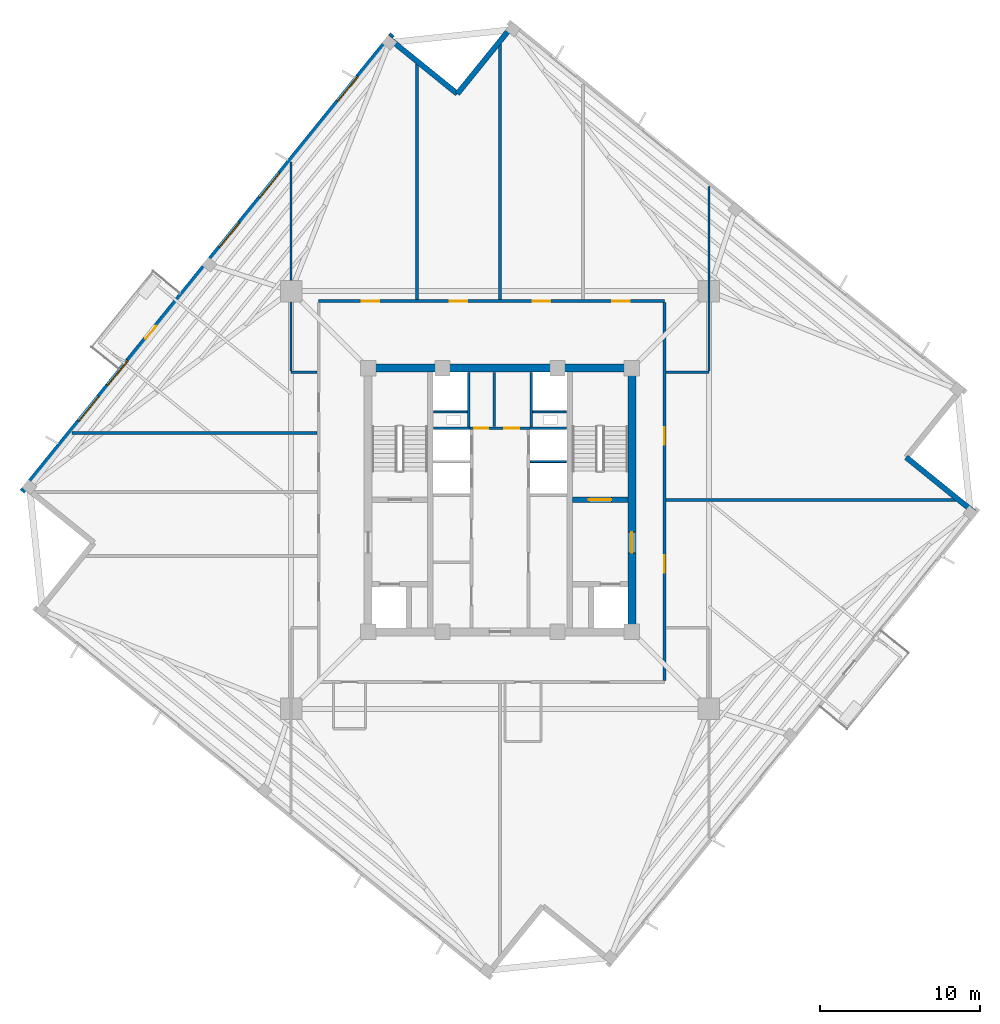
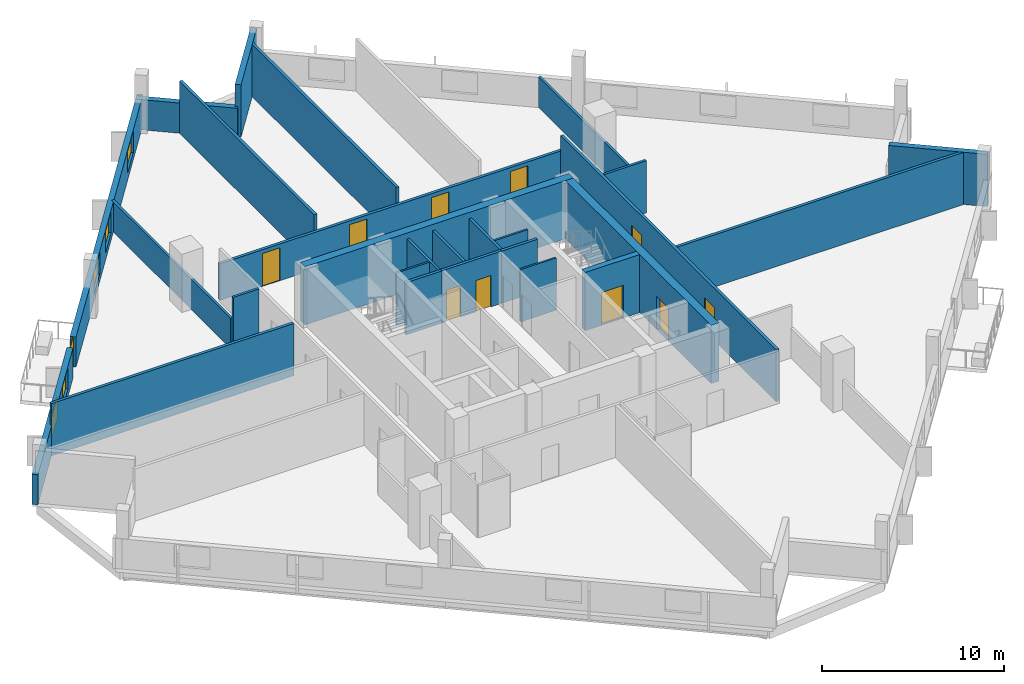
# One storey, part 4 of 9: 26 walls, 11 doors, 5 windows, 16 openings.
"""IFC4 building model written with IfcOpenShell, lengths in metres."""

from ifc_helpers import new_model, si_unit, direction, frame, frame_2d, origin, place, context, subcontext, project, spatial, rectangle, extrude, source, transform, mapped, material, layer, layer_set, type_object, element, fill, save


model = new_model("IFC4")

# Units and contexts
model_context = context("Model", 3, precision=1e-05, world=origin(), true_north=direction((0.0, 1.0)))
body_context = subcontext(model_context, "Body", "Model", "MODEL_VIEW")
ifc_project = project(units=[si_unit("LENGTHUNIT", "METRE"), si_unit("AREAUNIT", "SQUARE_METRE"), si_unit("VOLUMEUNIT", "CUBIC_METRE"), si_unit("PLANEANGLEUNIT", "RADIAN"), si_unit("MASSUNIT", "GRAM", prefix="KILO"), si_unit("THERMODYNAMICTEMPERATUREUNIT", "KELVIN")], contexts=[model_context])

# Site, building, storey
site_placement = place(None, origin())
site = spatial("IfcSite", under=ifc_project, at=site_placement, CompositionType="ELEMENT")
building_placement = place(site_placement, origin())
building = spatial("IfcBuilding", under=site, at=building_placement, Name="Kosmvard Interchange Tower", CompositionType="ELEMENT")
storey_placement = place(building_placement, frame((0.0, 0.0, 256.300048828125)))
storey = spatial("IfcBuildingStorey", under=building, at=storey_placement, Name="L62", CompositionType="ELEMENT", Elevation=256.300048828125)

# Walls
ifc_material_1 = material(Name="Acoustic gypsum partition system")
ifc_layer_1 = layer(ifc_material_1, 0.14990234375, Name="Acoustic gypsum partition system")
ifc_layer_set_1 = layer_set([ifc_layer_1], Name="Acoustic gypsum partition system")
wall_type_1 = type_object("IfcWallType", Name="Acoustic Suite & Meeting Partition 150", PredefinedType="PARTITIONING", material=ifc_layer_set_1)
wall_1_placement = place(storey_placement, frame((10.39501953125, 8.0, 0.0), z_axis=(0.0, 0.0, 1.0), x_axis=(1.0, 0.0, 0.0)))
element("IfcWall", 1, at=wall_1_placement, inside=storey, type_object=wall_type_1, Name="L62 Room Partition 09.1", PredefinedType="PARTITIONING", context=body_context, shape_type="SweptSolid", body=[
    extrude(rectangle(XDim=2.68603515625, YDim=0.14990234375, at=frame_2d((1.343017578125, 0.0))), origin(), (0.0, 0.0, 1.0), 3.5),
])
wall_2_placement = place(storey_placement, frame((13.0810546875, 8.074951171875, 0.0), z_axis=(0.0, 0.0, 1.0), x_axis=(0.0, 1.0, 0.0)))
element("IfcWall", 2, at=wall_2_placement, inside=storey, type_object=wall_type_1, Name="L62 Room Partition 10.1", PredefinedType="PARTITIONING", context=body_context, shape_type="SweptSolid", body=[
    extrude(rectangle(XDim=11.5390625, YDim=0.14990234375, at=frame_2d((5.76953125, 0.0))), origin(), (0.0, 0.0, 1.0), 2.050048828125),
])
wall_3_placement = place(storey_placement, frame((-11.445068359375, 8.0, 0.0), z_axis=(0.0, 0.0, 1.0), x_axis=(-1.0, 0.0, 0.0)))
element("IfcWall", 3, at=wall_3_placement, inside=storey, type_object=wall_type_1, Name="L62 Room Partition 15.1", PredefinedType="PARTITIONING", context=body_context, shape_type="SweptSolid", body=[
    extrude(rectangle(XDim=1.635986328125, YDim=0.14990234375, at=frame_2d((0.81787109375, 0.0))), origin(), (0.0, 0.0, 1.0), 3.5),
])
wall_4_placement = place(storey_placement, frame((-13.0810546875, 8.074951171875, 0.0), z_axis=(0.0, 0.0, 1.0), x_axis=(0.0, 1.0, 0.0)))
element("IfcWall", 4, at=wall_4_placement, inside=storey, type_object=wall_type_1, Name="L62 Room Partition 16.1", PredefinedType="PARTITIONING", context=body_context, shape_type="SweptSolid", body=[
    extrude(rectangle(XDim=13.073486328125, YDim=0.14990234375, at=frame_2d((6.53662109375, 0.0))), origin(), (0.0, 0.0, 1.0), 2.02001953125),
])
ifc_material_2 = material(Name="Fire-rated gypsum partition system")
ifc_layer_2 = layer(ifc_material_2, 0.159912109375, Name="Fire-rated gypsum partition system")
ifc_layer_set_2 = layer_set([ifc_layer_2], Name="Fire-rated gypsum partition system")
wall_type_2 = type_object("IfcWallType", Name="Core Compartment & Shuttle Lobby Partition 160", PredefinedType="PARTITIONING", material=ifc_layer_set_2)
for number, where, z_axis, x_axis, name in (
    (5, (-1.9599609375, 4.580078125, 0.0), (0.0, 0.0, 1.0), (0.0, 1.0, 0.0), "L62 North Core West Wall"),
    (6, (1.9599609375, 4.580078125, 0.0), (0.0, 0.0, 1.0), (0.0, 1.0, 0.0), "L62 North Core East Wall"),
):
    element("IfcWall", number, at=place(storey_placement, frame(where, z_axis=z_axis, x_axis=x_axis)), inside=storey, type_object=wall_type_2, Name=name, PredefinedType="PARTITIONING", context=body_context, shape_type="SweptSolid", body=[
        extrude(rectangle(XDim=3.39990234375, YDim=0.159912109375, at=frame_2d((1.699951171875, 0.0))), origin(), (0.0, 0.0, 1.0), 3.5),
    ])
ifc_material_3 = material(Name="Concrete blockwork masonry", Category="masonry")
ifc_layer_3 = layer(ifc_material_3, 0.159912109375, Name="Concrete blockwork masonry")
ifc_layer_set_3 = layer_set([ifc_layer_3], Name="Concrete blockwork masonry")
wall_type_3 = type_object("IfcWallType", Name="Core Enclosure Split Wall 160", PredefinedType="PARTITIONING", material=ifc_layer_set_3)
wall_5_placement = place(storey_placement, frame((-0.35009765625, 4.60009765625, 0.0), z_axis=(0.0, 0.0, 1.0), x_axis=(0.0, 1.0, 0.0)))
element("IfcWall", 7, at=wall_5_placement, inside=storey, type_object=wall_type_3, Name="L62 Core K2 Split Wall", PredefinedType="PARTITIONING", context=body_context, shape_type="SweptSolid", body=[
    extrude(rectangle(XDim=3.3798828125, YDim=0.159912109375, at=frame_2d((1.68994140625, 0.0))), origin(), (0.0, 0.0, 1.0), 3.5),
])

# Wall, openings, doors
ifc_layer_4 = layer(ifc_material_2, 0.179931640625, Name="Fire-rated gypsum partition system")
ifc_layer_set_4 = layer_set([ifc_layer_4], Name="Fire-rated gypsum partition system")
wall_type_4 = type_object("IfcWallType", Name="Corridor & Hotel Compartment Partition 180", PredefinedType="PARTITIONING", material=ifc_layer_set_4)
wall_6_placement = place(storey_placement, frame((-1.8798828125, 4.489990234375, 0.0), z_axis=(0.0, 0.0, 1.0), x_axis=(1.0, 0.0, 0.0)))
wall_6 = element("IfcWall", 8, at=wall_6_placement, inside=storey, type_object=wall_type_4, Name="L62 Lift Lobby North Partition", PredefinedType="PARTITIONING", context=body_context, shape_type="SweptSolid", body=[
    extrude(rectangle(XDim=3.759765625, YDim=0.179931640625, at=frame_2d((1.8798828125, 0.0))), origin(), (0.0, 0.0, 1.0), 3.5),
])
opening_1_placement = place(wall_6_placement, frame((0.280029296875, 0.0, 0.0)))
opening_1 = element("IfcOpeningElement", 9, at=opening_1_placement, cuts=wall_6, Name="Opening L62-KD1", PredefinedType="OPENING", context=body_context, shape_type="SweptSolid", body=[
    extrude(rectangle(XDim=0.8798828125, YDim=2.10009765625, at=frame_2d((0.43994140625, 1.050048828125))), frame((0.0, 0.10009765625, 0.0), z_axis=(0.0, -1.0, 0.0), x_axis=(1.0, 0.0, 0.0)), (0.0, 0.0, 1.0), 0.199951171875),
])
opening_2_placement = place(wall_6_placement, frame((2.14990234375, 0.0, 0.0)))
opening_2 = element("IfcOpeningElement", 10, at=opening_2_placement, cuts=wall_6, Name="Opening L62-KD2", PredefinedType="OPENING", context=body_context, shape_type="SweptSolid", body=[
    extrude(rectangle(XDim=0.949951171875, YDim=2.10009765625, at=frame_2d((0.47509765625, 1.050048828125))), frame((0.0, 0.10009765625, 0.0), z_axis=(0.0, -1.0, 0.0), x_axis=(1.0, 0.0, 0.0)), (0.0, 0.0, 1.0), 0.199951171875),
])
ifc_material_4 = material(Name="Painted fire-rated timber leaf", Category="wood")
door_type_1 = type_object("IfcDoorType", Name="Core Service Fire Door 950x2100 EI30", OperationType="NOTDEFINED", PredefinedType="DOOR", material=ifc_material_4)
shared_shape_1 = source(origin(), body_context, "Body", "SweptSolid", [
    extrude(rectangle(XDim=0.949951171875, YDim=2.10009765625, at=frame_2d((0.47509765625, 1.050048828125))), frame((0.0, 0.02490234375, 0.0), z_axis=(0.0, -1.0, 0.0), x_axis=(1.0, 0.0, 0.0)), (0.0, 0.0, 1.0), 0.050048828125),
])
door_1_placement = place(opening_2_placement, origin())
door_1 = element("IfcDoor", 11, at=door_1_placement, inside=storey, type_object=door_type_1, Name="L62 Core Tea Pantry Door", OperationType="SINGLE_SWING_RIGHT", OverallHeight=2.10009765625, OverallWidth=0.949951171875, PredefinedType="DOOR", context=body_context, shape_type="MappedRepresentation", body=[
    mapped(shared_shape_1, transform((0.0, 0.0, 0.0), scale=1.0)),
])
fill(opening_2, door_1)
door_type_2 = type_object("IfcDoorType", Name="Core Cupboard Fire Door 880x2100 EI30", OperationType="NOTDEFINED", PredefinedType="DOOR", material=ifc_material_4)
shared_shape_2 = source(origin(), body_context, "Body", "SweptSolid", [
    extrude(rectangle(XDim=0.8798828125, YDim=2.10009765625, at=frame_2d((0.43994140625, 1.050048828125))), frame((0.0, 0.02490234375, 0.0), z_axis=(0.0, -1.0, 0.0), x_axis=(1.0, 0.0, 0.0)), (0.0, 0.0, 1.0), 0.050048828125),
])
door_2_placement = place(opening_1_placement, origin())
door_2 = element("IfcDoor", 12, at=door_2_placement, inside=storey, type_object=door_type_2, Name="L62 Core Cleaner Cupboard Door", OperationType="SINGLE_SWING_LEFT", OverallHeight=2.10009765625, OverallWidth=0.8798828125, PredefinedType="DOOR", context=body_context, shape_type="MappedRepresentation", body=[
    mapped(shared_shape_2, transform((0.0, 0.0, 0.0), scale=1.0)),
])
fill(opening_1, door_2)

wall_7_placement = place(storey_placement, frame((-11.35009765625, 12.449951171875, 0.0), z_axis=(0.0, 0.0, 1.0), x_axis=(1.0, 0.0, 0.0)))
wall_7 = element("IfcWall", 13, at=wall_7_placement, inside=storey, type_object=wall_type_4, Name="L62 Corridor Wall CN", PredefinedType="PARTITIONING", context=body_context, shape_type="SweptSolid", body=[
    extrude(rectangle(XDim=21.650146484375, YDim=0.179931640625, at=frame_2d((10.8251953125, 0.0))), origin(), (0.0, 0.0, 1.0), 2.4599609375),
])
opening_3_placement = place(wall_7_placement, frame((2.689453125, 0.0, 0.0)))
opening_3 = element("IfcOpeningElement", 14, at=opening_3_placement, cuts=wall_7, Name="Opening L62-D05", PredefinedType="OPENING", context=body_context, shape_type="SweptSolid", body=[
    extrude(rectangle(XDim=1.10009765625, YDim=2.199951171875, at=frame_2d((0.550048828125, 1.10009765625))), frame((0.0, 0.10009765625, 0.0), z_axis=(0.0, -1.0, 0.0), x_axis=(1.0, 0.0, 0.0)), (0.0, 0.0, 1.0), 0.199951171875),
])
opening_4_placement = place(wall_7_placement, frame((8.199951171875, 0.0, 0.0)))
opening_4 = element("IfcOpeningElement", 15, at=opening_4_placement, cuts=wall_7, Name="Opening L62-D06", PredefinedType="OPENING", context=body_context, shape_type="SweptSolid", body=[
    extrude(rectangle(XDim=1.10009765625, YDim=2.199951171875, at=frame_2d((0.550048828125, 1.10009765625))), frame((0.0, 0.10009765625, 0.0), z_axis=(0.0, -1.0, 0.0), x_axis=(1.0, 0.0, 0.0)), (0.0, 0.0, 1.0), 0.199951171875),
])
opening_5_placement = place(wall_7_placement, frame((13.39990234375, 0.0, 0.0)))
opening_5 = element("IfcOpeningElement", 16, at=opening_5_placement, cuts=wall_7, Name="Opening L62-D07", PredefinedType="OPENING", context=body_context, shape_type="SweptSolid", body=[
    extrude(rectangle(XDim=1.10009765625, YDim=2.199951171875, at=frame_2d((0.550048828125, 1.10009765625))), frame((0.0, 0.10009765625, 0.0), z_axis=(0.0, -1.0, 0.0), x_axis=(1.0, 0.0, 0.0)), (0.0, 0.0, 1.0), 0.199951171875),
])
opening_6_placement = place(wall_7_placement, frame((18.385498046875, 0.0, 0.0)))
opening_6 = element("IfcOpeningElement", 17, at=opening_6_placement, cuts=wall_7, Name="Opening L62-D08", PredefinedType="OPENING", context=body_context, shape_type="SweptSolid", body=[
    extrude(rectangle(XDim=1.10009765625, YDim=2.199951171875, at=frame_2d((0.550048828125, 1.10009765625))), frame((0.0, 0.10009765625, 0.0), z_axis=(0.0, -1.0, 0.0), x_axis=(1.0, 0.0, 0.0)), (0.0, 0.0, 1.0), 0.199951171875),
])
ifc_material_5 = material(Name="Engineered oak fire-rated timber", Category="wood")
door_type_3 = type_object("IfcDoorType", Name="Office Suite Entrance Door 1100x2200 FD30S", OperationType="NOTDEFINED", PredefinedType="DOOR", material=ifc_material_5)
shared_shape_3 = source(origin(), body_context, "Body", "SweptSolid", [
    extrude(rectangle(XDim=1.10009765625, YDim=2.199951171875, at=frame_2d((0.550048828125, 1.10009765625))), frame((0.0, 0.02490234375, 0.0), z_axis=(0.0, -1.0, 0.0), x_axis=(1.0, 0.0, 0.0)), (0.0, 0.0, 1.0), 0.050048828125),
])
door_3_placement = place(opening_3_placement, origin())
door_3 = element("IfcDoor", 18, at=door_3_placement, inside=storey, type_object=door_type_3, Name="L62 North-East Corner Office Door", OperationType="SINGLE_SWING_LEFT", OverallHeight=2.199951171875, OverallWidth=1.10009765625, PredefinedType="DOOR", context=body_context, shape_type="MappedRepresentation", body=[
    mapped(shared_shape_3, transform((0.0, 0.0, 0.0), scale=1.0)),
])
fill(opening_3, door_3)
door_4_placement = place(opening_4_placement, origin())
door_4 = element("IfcDoor", 19, at=door_4_placement, inside=storey, type_object=door_type_3, Name="L62 East Private Office 2 Door", OperationType="SINGLE_SWING_RIGHT", OverallHeight=2.199951171875, OverallWidth=1.10009765625, PredefinedType="DOOR", context=body_context, shape_type="MappedRepresentation", body=[
    mapped(shared_shape_3, transform((0.0, 0.0, 0.0), scale=1.0)),
])
fill(opening_4, door_4)
door_5_placement = place(opening_5_placement, origin())
door_5 = element("IfcDoor", 20, at=door_5_placement, inside=storey, type_object=door_type_3, Name="L62 South-East Corner Office Door", OperationType="SINGLE_SWING_LEFT", OverallHeight=2.199951171875, OverallWidth=1.10009765625, PredefinedType="DOOR", context=body_context, shape_type="MappedRepresentation", body=[
    mapped(shared_shape_3, transform((0.0, 0.0, 0.0), scale=1.0)),
])
fill(opening_5, door_5)
door_6_placement = place(opening_6_placement, origin())
door_6 = element("IfcDoor", 21, at=door_6_placement, inside=storey, type_object=door_type_3, Name="L62 South Diplomatic Boardroom 3 Door", OperationType="SINGLE_SWING_RIGHT", OverallHeight=2.199951171875, OverallWidth=1.10009765625, PredefinedType="DOOR", context=body_context, shape_type="MappedRepresentation", body=[
    mapped(shared_shape_3, transform((0.0, 0.0, 0.0), scale=1.0)),
])
fill(opening_6, door_6)

wall_8_placement = place(storey_placement, frame((10.300048828125, -11.300048828125, 0.0), z_axis=(0.0, 0.0, 1.0), x_axis=(0.0, 1.0, 0.0)))
wall_8 = element("IfcWall", 22, at=wall_8_placement, inside=storey, type_object=wall_type_4, Name="L62 Corridor Wall CE", PredefinedType="PARTITIONING", context=body_context, shape_type="SweptSolid", body=[
    extrude(rectangle(XDim=23.650146484375, YDim=0.179931640625, at=frame_2d((11.8251953125, 0.0))), origin(), (0.0, 0.0, 1.0), 3.5),
])
opening_7_placement = place(wall_8_placement, frame((14.75, 0.0, 0.0)))
opening_7 = element("IfcOpeningElement", 23, at=opening_7_placement, cuts=wall_8, Name="Opening L62-D09", PredefinedType="OPENING", context=body_context, shape_type="SweptSolid", body=[
    extrude(rectangle(XDim=1.10009765625, YDim=2.199951171875, at=frame_2d((0.550048828125, 1.10009765625))), frame((0.0, 0.10009765625, 0.0), z_axis=(0.0, -1.0, 0.0), x_axis=(1.0, 0.0, 0.0)), (0.0, 0.0, 1.0), 0.199951171875),
])
opening_8_placement = place(wall_8_placement, frame((6.75, 0.0, 0.0)))
opening_8 = element("IfcOpeningElement", 24, at=opening_8_placement, cuts=wall_8, Name="Opening L62-D10", PredefinedType="OPENING", context=body_context, shape_type="SweptSolid", body=[
    extrude(rectangle(XDim=1.10009765625, YDim=2.199951171875, at=frame_2d((0.550048828125, 1.10009765625))), frame((0.0, 0.10009765625, 0.0), z_axis=(0.0, -1.0, 0.0), x_axis=(1.0, 0.0, 0.0)), (0.0, 0.0, 1.0), 0.199951171875),
])
door_7_placement = place(opening_7_placement, frame((1.10009765625, 0.0, 0.0), z_axis=(0.0, 0.0, 1.0), x_axis=(-1.0, 0.0, 0.0)))
door_7 = element("IfcDoor", 25, at=door_7_placement, inside=storey, type_object=door_type_3, Name="L62 South-West Corner Office Door", OperationType="SINGLE_SWING_LEFT", OverallHeight=2.199951171875, OverallWidth=1.10009765625, PredefinedType="DOOR", context=body_context, shape_type="MappedRepresentation", body=[
    mapped(shared_shape_3, transform((0.0, 0.0, 0.0), scale=1.0)),
])
fill(opening_7, door_7)
door_8_placement = place(opening_8_placement, frame((1.10009765625, 0.0, 0.0), z_axis=(0.0, 0.0, 1.0), x_axis=(-1.0, 0.0, 0.0)))
door_8 = element("IfcDoor", 26, at=door_8_placement, inside=storey, type_object=door_type_3, Name="L62 Counsel Pantry Door", OperationType="SINGLE_SWING_RIGHT", OverallHeight=2.199951171875, OverallWidth=1.10009765625, PredefinedType="DOOR", context=body_context, shape_type="MappedRepresentation", body=[
    mapped(shared_shape_3, transform((0.0, 0.0, 0.0), scale=1.0)),
])
fill(opening_8, door_8)

# Walls
wall_9_placement = place(storey_placement, frame((-5.199951171875, 12.544921875, 0.0), z_axis=(0.0, 0.0, 1.0), x_axis=(0.0, 1.0, 0.0)))
element("IfcWall", 27, at=wall_9_placement, inside=storey, type_object=wall_type_4, Name="L62 Room Partition 01.1", PredefinedType="PARTITIONING", context=body_context, shape_type="SweptSolid", body=[
    extrude(rectangle(XDim=14.79541015625, YDim=0.179931640625, at=frame_2d((7.397705078125, 0.0))), origin(), (0.0, 0.0, 1.0), 3.5),
])
wall_10_placement = place(storey_placement, frame((0.0, 12.544921875, 0.0), z_axis=(0.0, 0.0, 1.0), x_axis=(0.0, 1.0, 0.0)))
element("IfcWall", 28, at=wall_10_placement, inside=storey, type_object=wall_type_4, Name="L62 Room Partition 02.1", PredefinedType="PARTITIONING", context=body_context, shape_type="SweptSolid", body=[
    extrude(rectangle(XDim=16.017578125, YDim=0.179931640625, at=frame_2d((8.0087890625, 0.0))), origin(), (0.0, 0.0, 1.0), 3.5),
])
wall_11_placement = place(storey_placement, frame((10.39501953125, 0.0, 0.0), z_axis=(0.0, 0.0, 1.0), x_axis=(1.0, 0.0, 0.0)))
element("IfcWall", 29, at=wall_11_placement, inside=storey, type_object=wall_type_4, Name="L62 Room Partition 04.1", PredefinedType="PARTITIONING", context=body_context, shape_type="SweptSolid", body=[
    extrude(rectangle(XDim=18.16748046875, YDim=0.179931640625, at=frame_2d((9.083740234375, 0.0))), origin(), (0.0, 0.0, 1.0), 3.5),
])
wall_12_placement = place(storey_placement, frame((-11.445068359375, 4.199951171875, 0.0), z_axis=(0.0, 0.0, 1.0), x_axis=(-1.0, 0.0, 0.0)))
element("IfcWall", 30, at=wall_12_placement, inside=storey, type_object=wall_type_4, Name="L62 Room Partition 08.1", PredefinedType="PARTITIONING", context=body_context, shape_type="SweptSolid", body=[
    extrude(rectangle(XDim=15.360595703125, YDim=0.179931640625, at=frame_2d((7.68017578125, 0.0))), origin(), (0.0, 0.0, 1.0), 3.5),
])
ifc_material_6 = material(Name="Precast concrete C45/55", Category="concrete")
ifc_layer_5 = layer(ifc_material_6, 0.340087890625, Name="Precast concrete C45/55")
ifc_layer_set_5 = layer_set([ifc_layer_5], Name="Precast concrete C45/55")
wall_type_5 = type_object("IfcWallType", Name="Mid Tower Precast Pier Wall 340 C45/55", PredefinedType="STANDARD", material=ifc_layer_set_5)
for number, where, z_axis, x_axis, name in (
    (31, (29.703125, -0.78857421875, 0.0), (0.0, 0.0, 1.0), (-0.77714355312, 0.629323365087, 0.0), "L62 Precast Facade Wall N-SE1"),
    (32, (0.78857421875, 29.703125, 0.0), (0.0, 0.0, 1.0), (-0.629323365087, -0.77714355312, 0.0), "L62 Precast Facade Wall N-NE1"),
):
    element("IfcWall", number, at=place(storey_placement, frame(where, z_axis=z_axis, x_axis=x_axis)), inside=storey, type_object=wall_type_5, Name=name, PredefinedType="STANDARD", context=body_context, shape_type="SweptSolid", body=[
        extrude(rectangle(XDim=5.499755859375, YDim=0.340087890625, at=frame_2d((2.75, 0.0))), origin(), (0.0, 0.0, 1.0), 3.5),
    ])
wall_13_placement = place(storey_placement, frame((-2.672607421875, 25.428955078125, 0.0), z_axis=(0.0, 0.0, 1.0), x_axis=(-0.777162640055, 0.629299794138, 0.0)))
element("IfcWall", 33, at=wall_13_placement, inside=storey, type_object=wall_type_5, Name="L62 Precast Facade Wall N-NE2", PredefinedType="STANDARD", context=body_context, shape_type="SweptSolid", body=[
    extrude(rectangle(XDim=5.669921875, YDim=0.340087890625, at=frame_2d((2.8349609375, 0.0))), origin(), (0.0, 0.0, 1.0), 2.02001953125),
])

# Wall, openings, windows, door
wall_14_placement = place(storey_placement, frame((-6.73291015625, 29.154296875, 0.0), z_axis=(0.0, 0.0, 1.0), x_axis=(-0.629325378072, -0.77714192302, 0.0)))
wall_14 = element("IfcWall", 34, at=wall_14_placement, inside=storey, type_object=wall_type_5, Name="L62 Precast Facade Wall F-N", PredefinedType="STANDARD", context=body_context, shape_type="SweptSolid", body=[
    extrude(rectangle(XDim=36.840087890625, YDim=0.340087890625, at=frame_2d((18.419921875, 0.0))), origin(), (0.0, 0.0, 1.0), 2.02001953125),
])
opening_9_placement = place(wall_14_placement, frame((23.4951171875, 0.0, 0.0)))
opening_9 = element("IfcOpeningElement", 35, at=opening_9_placement, cuts=wall_14, Name="Opening L62-BDE", PredefinedType="OPENING", context=body_context, shape_type="SweptSolid", body=[
    extrude(rectangle(XDim=1.050048828125, YDim=2.02001953125, at=frame_2d((0.52490234375, 1.010009765625))), frame((0.0, 0.18017578125, 0.0), z_axis=(0.0, -1.0, 0.0), x_axis=(1.0, 0.0, 0.0)), (0.0, 0.0, 1.0), 0.360107421875),
])
opening_10_placement = place(wall_14_placement, frame((3.4208984375, 0.0, 0.489990234375)))
opening_10 = element("IfcOpeningElement", 36, at=opening_10_placement, cuts=wall_14, Name="Opening L62-W11", PredefinedType="OPENING", context=body_context, shape_type="SweptSolid", body=[
    extrude(rectangle(XDim=2.0, YDim=1.449951171875, at=frame_2d((1.0, 0.72509765625))), frame((0.0, 0.18017578125, 0.0), z_axis=(0.0, -1.0, 0.0), x_axis=(1.0, 0.0, 0.0)), (0.0, 0.0, 1.0), 0.360107421875),
])
opening_11_placement = place(wall_14_placement, frame((11.18359375, 0.0, 0.489990234375)))
opening_11 = element("IfcOpeningElement", 37, at=opening_11_placement, cuts=wall_14, Name="Opening L62-W12", PredefinedType="OPENING", context=body_context, shape_type="SweptSolid", body=[
    extrude(rectangle(XDim=2.0, YDim=1.449951171875, at=frame_2d((1.0, 0.72509765625))), frame((0.0, 0.18017578125, 0.0), z_axis=(0.0, -1.0, 0.0), x_axis=(1.0, 0.0, 0.0)), (0.0, 0.0, 1.0), 0.360107421875),
])
opening_12_placement = place(wall_14_placement, frame((15.18310546875, 0.0, 0.489990234375)))
opening_12 = element("IfcOpeningElement", 38, at=opening_12_placement, cuts=wall_14, Name="Opening L62-W13", PredefinedType="OPENING", context=body_context, shape_type="SweptSolid", body=[
    extrude(rectangle(XDim=2.0, YDim=1.449951171875, at=frame_2d((1.0, 0.72509765625))), frame((0.0, 0.18017578125, 0.0), z_axis=(0.0, -1.0, 0.0), x_axis=(1.0, 0.0, 0.0)), (0.0, 0.0, 1.0), 0.360107421875),
])
opening_13_placement = place(wall_14_placement, frame((26.30126953125, 0.0, 0.489990234375)))
opening_13 = element("IfcOpeningElement", 39, at=opening_13_placement, cuts=wall_14, Name="Opening L62-W14", PredefinedType="OPENING", context=body_context, shape_type="SweptSolid", body=[
    extrude(rectangle(XDim=2.0, YDim=1.449951171875, at=frame_2d((1.0, 0.72509765625))), frame((0.0, 0.18017578125, 0.0), z_axis=(0.0, -1.0, 0.0), x_axis=(1.0, 0.0, 0.0)), (0.0, 0.0, 1.0), 0.360107421875),
])
opening_14_placement = place(wall_14_placement, frame((29.182373046875, 0.0, 0.489990234375)))
opening_14 = element("IfcOpeningElement", 40, at=opening_14_placement, cuts=wall_14, Name="Opening L62-W15", PredefinedType="OPENING", context=body_context, shape_type="SweptSolid", body=[
    extrude(rectangle(XDim=2.0, YDim=1.449951171875, at=frame_2d((1.0, 0.72509765625))), frame((0.0, 0.18017578125, 0.0), z_axis=(0.0, -1.0, 0.0), x_axis=(1.0, 0.0, 0.0)), (0.0, 0.0, 1.0), 0.360107421875),
])
ifc_material_7 = material(Name="Low-E solar-control double glazing", Category="glass")
window_type = type_object("IfcWindowType", Name="Transfer Zone Punched Window 2000x1450", PartitioningType="SINGLE_PANEL", PredefinedType="WINDOW", material=ifc_material_7)
shared_shape_4 = source(origin(), body_context, "Body", "SweptSolid", [
    extrude(rectangle(XDim=2.0, YDim=1.449951171875, at=frame_2d((1.0, 0.72509765625))), frame((0.0, 0.030029296875, 0.0), z_axis=(0.0, -1.0, 0.0), x_axis=(1.0, 0.0, 0.0)), (0.0, 0.0, 1.0), 0.06005859375),
])
window_1_placement = place(opening_10_placement, origin())
window_1 = element("IfcWindow", 41, at=window_1_placement, inside=storey, type_object=window_type, Name="L62 Facade Punched Window 11", OverallHeight=1.449951171875, OverallWidth=2.0, PartitioningType="SINGLE_PANEL", PredefinedType="WINDOW", context=body_context, shape_type="MappedRepresentation", body=[
    mapped(shared_shape_4, transform((0.0, 0.0, 0.0), scale=1.0)),
])
fill(opening_10, window_1)
window_2_placement = place(opening_11_placement, origin())
window_2 = element("IfcWindow", 42, at=window_2_placement, inside=storey, type_object=window_type, Name="L62 Facade Punched Window 12", OverallHeight=1.449951171875, OverallWidth=2.0, PartitioningType="SINGLE_PANEL", PredefinedType="WINDOW", context=body_context, shape_type="MappedRepresentation", body=[
    mapped(shared_shape_4, transform((0.0, 0.0, 0.0), scale=1.0)),
])
fill(opening_11, window_2)
window_3_placement = place(opening_12_placement, origin())
window_3 = element("IfcWindow", 43, at=window_3_placement, inside=storey, type_object=window_type, Name="L62 Facade Punched Window 13", OverallHeight=1.449951171875, OverallWidth=2.0, PartitioningType="SINGLE_PANEL", PredefinedType="WINDOW", context=body_context, shape_type="MappedRepresentation", body=[
    mapped(shared_shape_4, transform((0.0, 0.0, 0.0), scale=1.0)),
])
fill(opening_12, window_3)
window_4_placement = place(opening_13_placement, origin())
window_4 = element("IfcWindow", 44, at=window_4_placement, inside=storey, type_object=window_type, Name="L62 Facade Punched Window 14", OverallHeight=1.449951171875, OverallWidth=2.0, PartitioningType="SINGLE_PANEL", PredefinedType="WINDOW", context=body_context, shape_type="MappedRepresentation", body=[
    mapped(shared_shape_4, transform((0.0, 0.0, 0.0), scale=1.0)),
])
fill(opening_13, window_4)
window_5_placement = place(opening_14_placement, origin())
window_5 = element("IfcWindow", 45, at=window_5_placement, inside=storey, type_object=window_type, Name="L62 Facade Punched Window 15", OverallHeight=1.449951171875, OverallWidth=2.0, PartitioningType="SINGLE_PANEL", PredefinedType="WINDOW", context=body_context, shape_type="MappedRepresentation", body=[
    mapped(shared_shape_4, transform((0.0, 0.0, 0.0), scale=1.0)),
])
fill(opening_14, window_5)
ifc_material_8 = material(Name="Anodised aluminium and safety glass", Category="aluminium")
door_type_4 = type_object("IfcDoorType", Name="Tree-Balcony Glazed Door 1050x2250", OperationType="NOTDEFINED", PredefinedType="DOOR", material=ifc_material_8)
shared_shape_5 = source(origin(), body_context, "Body", "SweptSolid", [
    extrude(rectangle(XDim=1.050048828125, YDim=2.02001953125, at=frame_2d((0.52490234375, 1.010009765625))), frame((0.0, 0.02490234375, 0.0), z_axis=(0.0, -1.0, 0.0), x_axis=(1.0, 0.0, 0.0)), (0.0, 0.0, 1.0), 0.050048828125),
])
door_9_placement = place(opening_9_placement, origin())
door_9 = element("IfcDoor", 46, at=door_9_placement, inside=storey, type_object=door_type_4, Name="L62 Tree-Balcony Door BAL-L62-NE", OperationType="SINGLE_SWING_LEFT", OverallHeight=2.02001953125, OverallWidth=1.050048828125, PredefinedType="DOOR", context=body_context, shape_type="MappedRepresentation", body=[
    mapped(shared_shape_5, transform((0.0, 0.0, 0.0), scale=1.0)),
])
fill(opening_9, door_9)

# Walls
ifc_layer_6 = layer(ifc_material_3, 0.179931640625, Name="Concrete blockwork masonry")
ifc_layer_set_6 = layer_set([ifc_layer_6], Name="Concrete blockwork masonry")
wall_type_6 = type_object("IfcWallType", Name="Riser & Lift Bank Divider Wall 180", PredefinedType="PARTITIONING", material=ifc_layer_set_6)
for number, where, z_axis, x_axis, name in (
    (47, (-4.169921875, 4.489990234375, 0.0), (0.0, 0.0, 1.0), (1.0, 0.0, 0.0), "L62 West Bank Divider BD3"),
    (48, (1.889892578125, 4.489990234375, 0.0), (0.0, 0.0, 1.0), (1.0, 0.0, 0.0), "L62 East Bank Divider BD3"),
):
    element("IfcWall", number, at=place(storey_placement, frame(where, z_axis=z_axis, x_axis=x_axis)), inside=storey, type_object=wall_type_6, Name=name, PredefinedType="PARTITIONING", context=body_context, shape_type="SweptSolid", body=[
        extrude(rectangle(XDim=2.280029296875, YDim=0.179931640625, at=frame_2d((1.14013671875, 0.0))), origin(), (0.0, 0.0, 1.0), 3.5),
    ])
ifc_material_9 = material(Name="Fire-rated gypsum shaftwall system")
ifc_layer_7 = layer(ifc_material_9, 0.1201171875, Name="Fire-rated gypsum shaftwall system")
ifc_layer_set_7 = layer_set([ifc_layer_7], Name="Fire-rated gypsum shaftwall system")
wall_type_7 = type_object("IfcWallType", Name="Shaft & Riser Fire Partition 120 EI60", PredefinedType="PARTITIONING", material=ifc_layer_set_7)
wall_15_placement = place(storey_placement, frame((1.89990234375, 2.39990234375, 0.0), z_axis=(0.0, 0.0, 1.0), x_axis=(1.0, 0.0, 0.0)))
element("IfcWall", 49, at=wall_15_placement, inside=storey, type_object=wall_type_7, Name="L62 Shaft Divider PL-H3", PredefinedType="PARTITIONING", context=body_context, shape_type="SweptSolid", body=[
    extrude(rectangle(XDim=2.260009765625, YDim=0.1201171875, at=frame_2d((1.1298828125, 0.0))), origin(), (0.0, 0.0, 1.0), 3.5),
])
for number, where, z_axis, x_axis, name in (
    (50, (-4.159912109375, 5.52001953125, 0.0), (0.0, 0.0, 1.0), (1.0, 0.0, 0.0), "L62 Riser Shaft Divider W"),
    (51, (2.06005859375, 5.52001953125, 0.0), (0.0, 0.0, 1.0), (1.0, 0.0, 0.0), "L62 Riser Shaft Divider E"),
):
    element("IfcWall", number, at=place(storey_placement, frame(where, z_axis=z_axis, x_axis=x_axis)), inside=storey, type_object=wall_type_7, Name=name, PredefinedType="PARTITIONING", context=body_context, shape_type="SweptSolid", body=[
        extrude(rectangle(XDim=2.099853515625, YDim=0.1201171875, at=frame_2d((1.0498046875, 0.0))), origin(), (0.0, 0.0, 1.0), 3.5),
    ])

# Wall, opening, door
ifc_material_10 = material(Name="Concrete C60/75", Category="concrete")
ifc_layer_8 = layer(ifc_material_10, 0.360107421875, Name="Concrete C60/75")
ifc_layer_set_8 = layer_set([ifc_layer_8], Name="Concrete C60/75")
wall_type_8 = type_object("IfcWallType", Name="Stair & Lift Shaft Shear Wall 360 C60/75", PredefinedType="SHEAR", material=ifc_layer_set_8)
wall_16_placement = place(storey_placement, frame((4.5400390625, 0.02001953125, 0.0), z_axis=(0.0, 0.0, 1.0), x_axis=(1.0, 0.0, 0.0)))
wall_16 = element("IfcWall", 52, at=wall_16_placement, inside=storey, type_object=wall_type_8, Name="L62 Shaft Shear Wall SW-ST2", PredefinedType="SHEAR", context=body_context, shape_type="SweptSolid", body=[
    extrude(rectangle(XDim=3.4599609375, YDim=0.360107421875, at=frame_2d((1.72998046875, 0.0))), origin(), (0.0, 0.0, 1.0), 3.89990234375),
])
opening_15_placement = place(wall_16_placement, frame((1.030029296875, 0.0, 0.0)))
opening_15 = element("IfcOpeningElement", 53, at=opening_15_placement, cuts=wall_16, Name="Opening L62-SD2", PredefinedType="OPENING", context=body_context, shape_type="SweptSolid", body=[
    extrude(rectangle(XDim=1.39990234375, YDim=2.199951171875, at=frame_2d((0.699951171875, 1.10009765625))), frame((0.0, 0.18994140625, 0.0), z_axis=(0.0, -1.0, 0.0), x_axis=(1.0, 0.0, 0.0)), (0.0, 0.0, 1.0), 0.380126953125),
])
ifc_material_11 = material(Name="Painted fire-rated steel leaf", Category="steel")
door_type_5 = type_object("IfcDoorType", Name="Protected Stair Door 1400x2200 FD60S", OperationType="NOTDEFINED", PredefinedType="DOOR", material=ifc_material_11)
shared_shape_6 = source(origin(), body_context, "Body", "SweptSolid", [
    extrude(rectangle(XDim=1.39990234375, YDim=2.199951171875, at=frame_2d((0.699951171875, 1.10009765625))), frame((0.0, 0.02490234375, 0.0), z_axis=(0.0, -1.0, 0.0), x_axis=(1.0, 0.0, 0.0)), (0.0, 0.0, 1.0), 0.050048828125),
])
door_10_placement = place(opening_15_placement, origin())
door_10 = element("IfcDoor", 54, at=door_10_placement, inside=storey, type_object=door_type_5, Name="L62 Stair ST-2 Enclosure Door", OperationType="SINGLE_SWING_RIGHT", OverallHeight=2.199951171875, OverallWidth=1.39990234375, PredefinedType="DOOR", context=body_context, shape_type="MappedRepresentation", body=[
    mapped(shared_shape_6, transform((0.0, 0.0, 0.0), scale=1.0)),
])
fill(opening_15, door_10)

# Wall
ifc_layer_9 = layer(ifc_material_10, 0.5, Name="Concrete C60/75")
ifc_layer_set_9 = layer_set([ifc_layer_9], Name="Concrete C60/75")
wall_type_9 = type_object("IfcWallType", Name="Upper Core Shear Wall 500 C60/75", PredefinedType="SHEAR", material=ifc_layer_set_9)
wall_17_placement = place(storey_placement, frame((-8.5, 8.25, 0.0), z_axis=(0.0, 0.0, 1.0), x_axis=(1.0, 0.0, 0.0)))
element("IfcWall", 55, at=wall_17_placement, inside=storey, type_object=wall_type_9, Name="L62 Core Shear Wall CW-N", PredefinedType="SHEAR", context=body_context, shape_type="SweptSolid", body=[
    extrude(rectangle(XDim=17.0, YDim=0.5, at=frame_2d((8.5, 0.0))), origin(), (0.0, 0.0, 1.0), 3.89990234375),
])

# Wall, opening, door
wall_18_placement = place(storey_placement, frame((8.25, -8.0, 0.0), z_axis=(0.0, 0.0, 1.0), x_axis=(0.0, 1.0, 0.0)))
wall_18 = element("IfcWall", 56, at=wall_18_placement, inside=storey, type_object=wall_type_9, Name="L62 Core Shear Wall CW-E", PredefinedType="SHEAR", context=body_context, shape_type="SweptSolid", body=[
    extrude(rectangle(XDim=16.0, YDim=0.5, at=frame_2d((8.0, 0.0))), origin(), (0.0, 0.0, 1.0), 3.89990234375),
])
opening_16_placement = place(wall_18_placement, frame((4.68994140625, 0.0, 0.0)))
opening_16 = element("IfcOpeningElement", 57, at=opening_16_placement, cuts=wall_18, Name="Opening L62-FD2", PredefinedType="OPENING", context=body_context, shape_type="SweptSolid", body=[
    extrude(rectangle(XDim=1.300048828125, YDim=2.199951171875, at=frame_2d((0.64990234375, 1.10009765625))), frame((0.0, 0.260009765625, 0.0), z_axis=(0.0, -1.0, 0.0), x_axis=(1.0, 0.0, 0.0)), (0.0, 0.0, 1.0), 0.52001953125),
])
door_type_6 = type_object("IfcDoorType", Name="Firefighting Lobby Door 1300x2200 EI60", OperationType="NOTDEFINED", PredefinedType="DOOR", material=ifc_material_11)
shared_shape_7 = source(origin(), body_context, "Body", "SweptSolid", [
    extrude(rectangle(XDim=1.300048828125, YDim=2.199951171875, at=frame_2d((0.64990234375, 1.10009765625))), frame((0.0, 0.02490234375, 0.0), z_axis=(0.0, -1.0, 0.0), x_axis=(1.0, 0.0, 0.0)), (0.0, 0.0, 1.0), 0.050048828125),
])
door_11_placement = place(opening_16_placement, origin())
door_11 = element("IfcDoor", 58, at=door_11_placement, inside=storey, type_object=door_type_6, Name="L62 Firefighting Lobby East Door", OperationType="SINGLE_SWING_RIGHT", OverallHeight=2.199951171875, OverallWidth=1.300048828125, PredefinedType="DOOR", context=body_context, shape_type="MappedRepresentation", body=[
    mapped(shared_shape_7, transform((0.0, 0.0, 0.0), scale=1.0)),
])
fill(opening_16, door_11)

save(model, "model.ifc")
